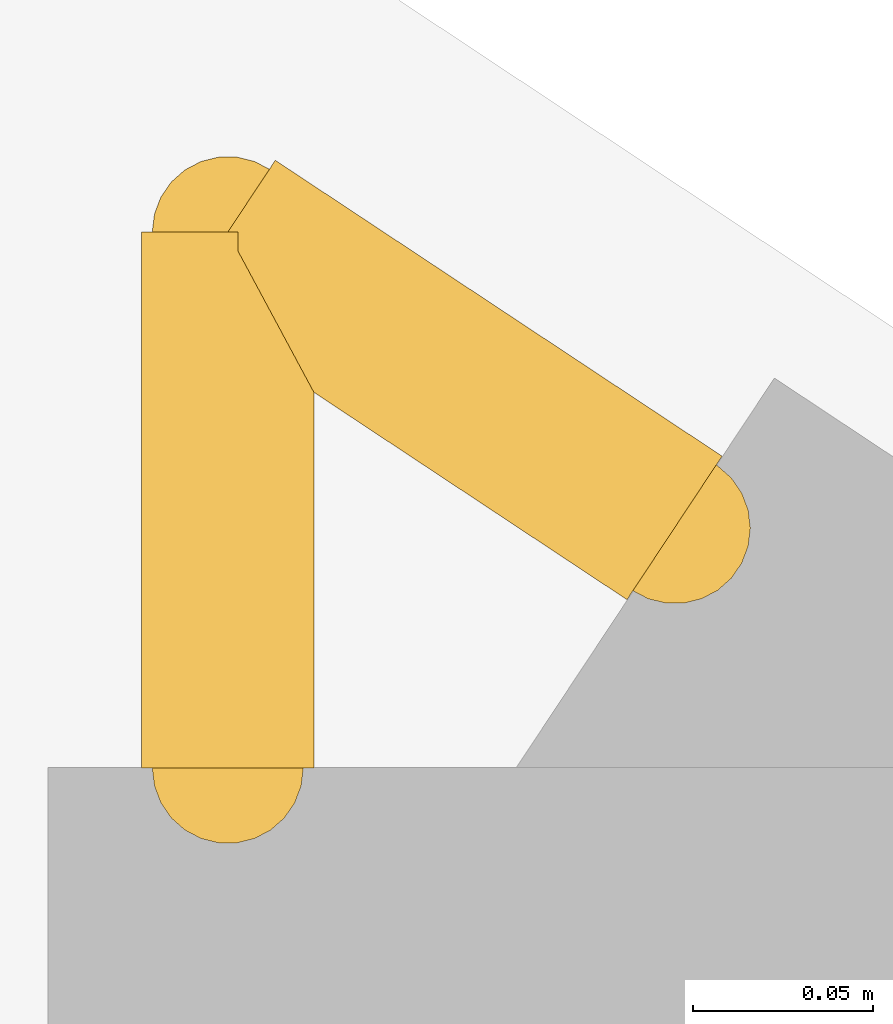
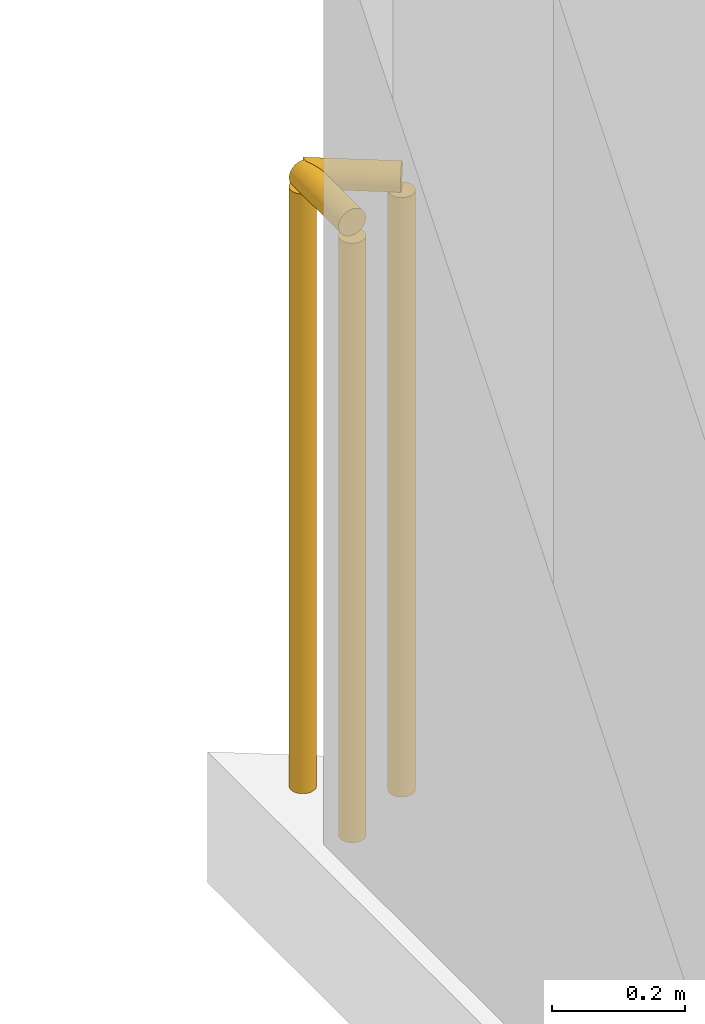
# One storey, part 17 of 18: 2 railings.
"""IFC4 building model written with IfcOpenShell, lengths in metres."""

import ifcopenshell
import ifcopenshell.guid

model = None  # the IFC model being written
_history = None  # IfcOwnerHistory: only IFC2X3 demands one
_inside = {}  # id of a spatial element -> (the spatial element, [elements in it])
_under = {}  # id of a project, library or spatial element -> (it, [spatial elements below it])
_declared = {}  # id of a project -> (the project, [libraries it declares])
_typed = {}  # id of a type object -> (the type object, [elements of that type])
_made_of = {}  # id of a material, layer set ... -> (it, [elements and type objects made of it])


def new_model(schema):
    """Start an empty IFC model of exactly this schema.

    Asked for "IFC4X3", IfcOpenShell would pick the latest addendum, in which some entities
    have other attributes; the version numbers below select the first issue.
    IFC2X3 requires an IfcOwnerHistory on every rooted entity: one is made here for all.
    """
    global model, _history
    if schema == "IFC4X3":
        model = ifcopenshell.file(schema_version=(4, 3, 0, 0))
    else:
        model = ifcopenshell.file(schema=schema)
    _inside.clear()
    _under.clear()
    _declared.clear()
    _typed.clear()
    _made_of.clear()
    _history = None
    if model.schema == "IFC2X3":
        org = make("IfcOrganization", Name="unknown")
        user = make(
            "IfcPersonAndOrganization",
            ThePerson=make("IfcPerson", FamilyName="unknown"),
            TheOrganization=org,
        )
        app = make(
            "IfcApplication",
            ApplicationDeveloper=org,
            Version="unknown",
            ApplicationFullName="unknown",
            ApplicationIdentifier="unknown",
        )
        _history = make(
            "IfcOwnerHistory",
            OwningUser=user,
            OwningApplication=app,
            ChangeAction="ADDED",
            CreationDate=0,
        )
    return model


def make(cls, **values):
    """One entity of the class cls with the attributes given. An attribute that is None is left unset."""
    return model.create_entity(
        cls, **{name: value for name, value in values.items() if value is not None}
    )


def rooted(cls, **values):
    """An entity with a GlobalId (a new one), such as an element, a storey or a relation."""
    return make(cls, GlobalId=ifcopenshell.guid.new(), OwnerHistory=_history, **values)


def si_unit(unit_type, name, prefix=None):
    """IfcSIUnit, for example si_unit("LENGTHUNIT", "METRE", prefix="MILLI")."""
    return make("IfcSIUnit", UnitType=unit_type, Prefix=prefix, Name=name)


def assignment(units):
    """IfcUnitAssignment: the units of a project."""
    return None if units is None else make("IfcUnitAssignment", Units=units)


def point(xyz):
    """IfcCartesianPoint."""
    return None if xyz is None else make("IfcCartesianPoint", Coordinates=xyz)


def direction(xyz):
    """IfcDirection."""
    return None if xyz is None else make("IfcDirection", DirectionRatios=xyz)


def frame(location, z_axis=None, x_axis=None):
    """IfcAxis2Placement3D, a coordinate frame: its origin and axes. An axis left out is left unset."""
    return make(
        "IfcAxis2Placement3D",
        Location=point(location),
        Axis=direction(z_axis),
        RefDirection=direction(x_axis),
    )


def frame_2d(location, x_axis=None):
    """IfcAxis2Placement2D, a coordinate frame in the plane: its origin and x axis."""
    return make(
        "IfcAxis2Placement2D", Location=point(location), RefDirection=direction(x_axis)
    )


def origin():
    """The frame at (0, 0, 0) with its axes left unset."""
    return frame((0.0, 0.0, 0.0))


def origin_2d():
    """The frame at (0, 0) in the plane with its x axis left unset."""
    return frame_2d((0.0, 0.0))


def place(relative_to, where):
    """IfcLocalPlacement: puts the frame where relative to a parent placement (None: the world)."""
    return make(
        "IfcLocalPlacement", PlacementRelTo=relative_to, RelativePlacement=where
    )


def context(
    kind, dimensions, precision=None, world=None, true_north=None, identifier=None
):
    """IfcGeometricRepresentationContext, for example the 3D "Model" context."""
    return make(
        "IfcGeometricRepresentationContext",
        ContextIdentifier=identifier,
        ContextType=kind,
        CoordinateSpaceDimension=dimensions,
        Precision=precision,
        WorldCoordinateSystem=world,
        TrueNorth=true_north,
    )


def subcontext(parent, identifier, kind, view, scale=None):
    """IfcGeometricRepresentationSubContext, for example "Body" below "Model"."""
    return make(
        "IfcGeometricRepresentationSubContext",
        ContextIdentifier=identifier,
        ContextType=kind,
        ParentContext=parent,
        TargetScale=scale,
        TargetView=view,
    )


def project(units=None, contexts=None):
    """IfcProject with its units and contexts."""
    return rooted(
        "IfcProject",
        Name="project",
        RepresentationContexts=contexts,
        UnitsInContext=assignment(units),
    )


def spatial(cls, under=None, at=None, **own):
    """A site, building, storey or space (cls), placed at a placement, below another one or the project."""
    s = rooted(cls, ObjectPlacement=at, **own)
    if under is not None:
        _under.setdefault(under.id(), (under, []))[1].append(s)
    return s


def profile(cls, at=None, kind="AREA", **sizes):
    """A parametric profile (cls). Its sizes go by their IFC names, for example OverallWidth=200.0."""
    return make(cls, ProfileType=kind, Position=at, **sizes)


def circle(**sizes):
    """IfcCircleProfileDef."""
    return profile("IfcCircleProfileDef", **sizes)


def extrude(swept, where, along, depth):
    """IfcExtrudedAreaSolid: the profile swept, set in the frame where, extruded along a direction by depth."""
    return make(
        "IfcExtrudedAreaSolid",
        SweptArea=swept,
        Position=where,
        ExtrudedDirection=direction(along),
        Depth=depth,
    )


def shape(context_of_items, identifier, shape_type, items):
    """IfcShapeRepresentation: the items that make up one representation, for example the "Body"."""
    return make(
        "IfcShapeRepresentation",
        ContextOfItems=context_of_items,
        RepresentationIdentifier=identifier,
        RepresentationType=shape_type,
        Items=items,
    )


def material(Name=None, Category=None):
    """IfcMaterial."""
    return make("IfcMaterial", Name=Name, Category=Category)


def made_of(thing, what):
    """Note that an element or type object is made of a material, layer set ...; save() writes the relation."""
    if what is not None:
        _made_of.setdefault(what.id(), (what, []))[1].append(thing)
    return thing


def type_object(cls, material=None, **own):
    """A type object (cls), such as IfcWallType, which elements share."""
    return made_of(rooted(cls, **own), material)


def element(
    cls,
    number,
    at=None,
    inside=None,
    cuts=None,
    type_object=None,
    material=None,
    context=None,
    identifier="Body",
    shape_type=None,
    held_by="IfcProductDefinitionShape",
    body=None,
    shapes=None,
    **own,
):
    """One element of the class cls, such as IfcWall. Its Tag is "e" and its number.

    at: its placement. inside: the storey or other place that contains it. cuts: it is an
    opening in that element (IfcRelVoidsElement). A single representation is given by context,
    identifier, shape_type and body (its items); several are given by shapes. held_by: the class
    of the entity that holds the representations. save() writes the other relations.
    """
    e = rooted(cls, Tag="e%d" % number, ObjectPlacement=at, **own)
    if body is not None:
        shapes = [shape(context, identifier, shape_type, body)]
    if shapes is not None:
        e.Representation = make(held_by, Representations=shapes)
    if inside is not None:
        _inside.setdefault(inside.id(), (inside, []))[1].append(e)
    if cuts is not None:
        rooted(
            "IfcRelVoidsElement", RelatingBuildingElement=cuts, RelatedOpeningElement=e
        )
    if type_object is not None:
        _typed.setdefault(type_object.id(), (type_object, []))[1].append(e)
    return made_of(e, material)


def aggregate(whole, parts):
    """IfcRelAggregates: a whole, such as a stair, and the parts it consists of."""
    return rooted("IfcRelAggregates", RelatingObject=whole, RelatedObjects=parts)


def save(model, path):
    """Write the relations noted so far, then the file.

    IfcRelAggregates (storeys below a building ...), IfcRelContainedInSpatialStructure (elements
    in a storey), IfcRelDefinesByType, IfcRelAssociatesMaterial and IfcRelDeclares: one each for
    every whole, place, type object, material and project.
    """
    for whole, parts in _under.values():
        aggregate(whole, parts)
    for where, things in _inside.values():
        rooted(
            "IfcRelContainedInSpatialStructure",
            RelatedElements=things,
            RelatingStructure=where,
        )
    for kind, things in _typed.values():
        rooted("IfcRelDefinesByType", RelatedObjects=things, RelatingType=kind)
    for what, things in _made_of.values():
        rooted("IfcRelAssociatesMaterial", RelatedObjects=things, RelatingMaterial=what)
    for by, libraries in _declared.values():
        rooted("IfcRelDeclares", RelatingContext=by, RelatedDefinitions=libraries)
    model.write(path)


model = new_model("IFC4")

# Units and contexts
model_context = context("Model", 3, precision=1e-05, world=origin(), true_north=direction((0.0, 1.0)))
body_context = subcontext(model_context, "Body", "Model", "MODEL_VIEW")
ifc_project = project(units=[si_unit("LENGTHUNIT", "METRE"), si_unit("AREAUNIT", "SQUARE_METRE"), si_unit("VOLUMEUNIT", "CUBIC_METRE"), si_unit("PLANEANGLEUNIT", "RADIAN"), si_unit("MASSUNIT", "GRAM", prefix="KILO")], contexts=[model_context])

# Site, building, storey
site_placement = place(None, origin())
site = spatial("IfcSite", under=ifc_project, at=site_placement, CompositionType="ELEMENT")
building_placement = place(site_placement, origin())
building = spatial("IfcBuilding", under=site, at=building_placement, Name="Varnakote Quay Hospital", CompositionType="ELEMENT")
storey_placement = place(building_placement, frame((0.0, 0.0, 154.699951171875)))
storey = spatial("IfcBuildingStorey", under=building, at=storey_placement, Name="L38", CompositionType="ELEMENT", Elevation=154.699951171875)

# Railings
ifc_material = material(Name="Anodised aluminium 6063-T6 Bronze", Category="aluminium")
railing_type = type_object("IfcRailingType", Name="RLG-EXT-GUARD-1150", PredefinedType="GUARDRAIL", material=ifc_material)
railing_1_placement = place(storey_placement, frame((2.679931640625, 43.10205078125, 0.0)))
element("IfcRailing", 1, at=railing_1_placement, inside=storey, type_object=railing_type, Name="L38 Slab Edge Perimeter Safety Guard", PredefinedType="GUARDRAIL", context=body_context, shape_type="SweptSolid", body=[
    extrude(circle(Radius=0.02392578125, at=origin_2d()), frame((0.0, 0.0, 1.1259765625), z_axis=(0.0, 1.0, 0.0), x_axis=(-1.0, 0.0, 0.0)), (0.0, 0.0, 1.0), 0.14892578125),
    extrude(circle(Radius=0.02099609375, at=origin_2d()), origin(), (0.0, 0.0, 1.0), 1.101806640625),
    extrude(circle(Radius=0.02099609375, at=origin_2d()), frame((0.0, 0.14892578125, 0.0)), (0.0, 0.0, 1.0), 1.101806640625),
])
railing_2_placement = place(storey_placement, frame((2.679931640625, 43.2509765625, 0.0)))
element("IfcRailing", 2, at=railing_2_placement, inside=storey, type_object=railing_type, Name="L38 Slab Edge Perimeter Safety Guard", PredefinedType="GUARDRAIL", context=body_context, shape_type="SweptSolid", body=[
    extrude(circle(Radius=0.02392578125, at=origin_2d()), frame((0.0, 0.0, 1.1259765625), z_axis=(0.833810230731, -0.552051174374, 0.0), x_axis=(0.552051174374, 0.833810230731, 0.0)), (0.0, 0.0, 1.0), 0.14892578125),
    extrude(circle(Radius=0.02099609375, at=origin_2d()), origin(), (0.0, 0.0, 1.0), 1.101806640625),
    extrude(circle(Radius=0.02099609375, at=origin_2d()), frame((0.124267578125, -0.082275390625, 0.0)), (0.0, 0.0, 1.0), 1.101806640625),
])

save(model, "model.ifc")
